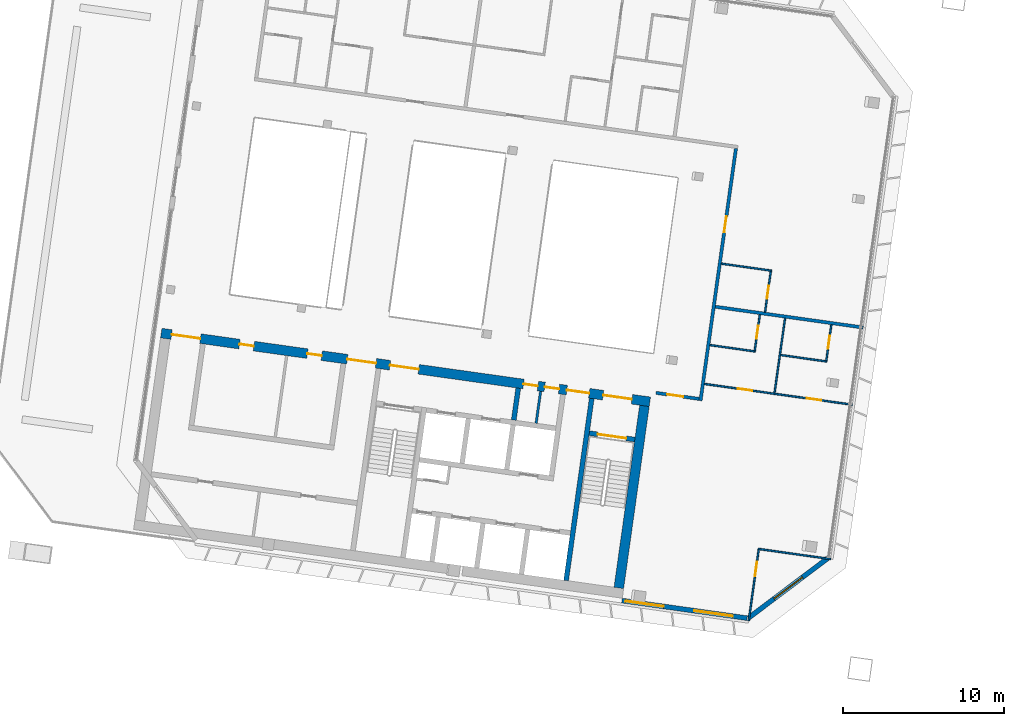
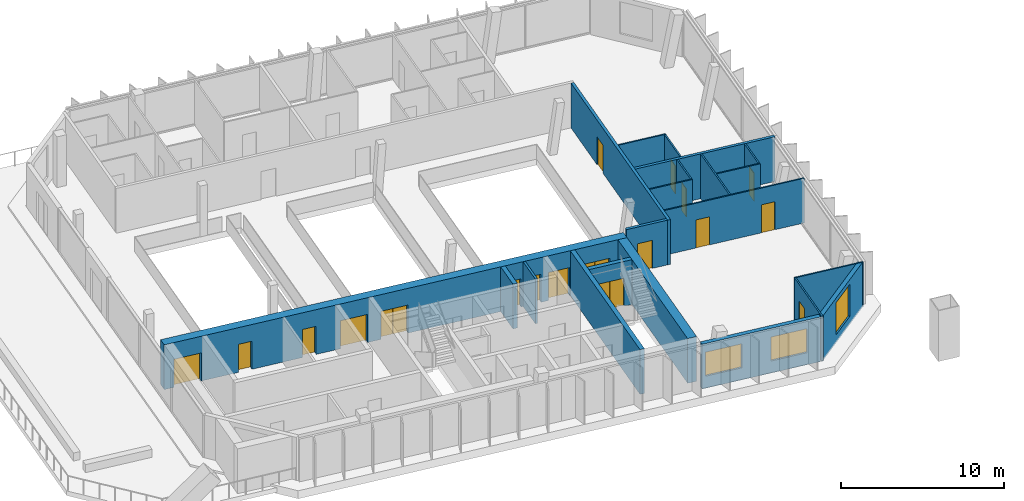
# One storey, part 11 of 19: 21 walls, 18 doors, 3 windows, 21 openings.
"""IFC4 building model written with IfcOpenShell, lengths in metres."""

from ifc_helpers import new_model, si_unit, direction, frame, frame_2d, origin, place, context, subcontext, project, spatial, rectangle, extrude, material, layer, layer_set, type_object, element, fill, save


model = new_model("IFC4")

# Units and contexts
model_context = context("Model", 3, precision=1e-05, world=origin(), true_north=direction((0.0, 1.0)))
body_context = subcontext(model_context, "Body", "Model", "MODEL_VIEW")
ifc_project = project(units=[si_unit("LENGTHUNIT", "METRE"), si_unit("AREAUNIT", "SQUARE_METRE"), si_unit("VOLUMEUNIT", "CUBIC_METRE"), si_unit("PLANEANGLEUNIT", "RADIAN"), si_unit("MASSUNIT", "GRAM", prefix="KILO")], contexts=[model_context])

# Site, building, storey
site_placement = place(None, origin())
site = spatial("IfcSite", under=ifc_project, at=site_placement, CompositionType="ELEMENT")
building_placement = place(site_placement, origin())
building = spatial("IfcBuilding", under=site, at=building_placement, Name="Mirante Cascada Hotel Towers", CompositionType="ELEMENT")
storey_placement = place(building_placement, frame((0.0, 0.0, 231.8)))
storey = spatial("IfcBuildingStorey", under=building, at=storey_placement, Name="L55", CompositionType="ELEMENT", Elevation=231.8)

# Wall, opening, door
ifc_material_1 = material(Name="Fire-rated plasterboard on metal studs")
ifc_layer_1 = layer(ifc_material_1, 0.2)
ifc_layer_set_1 = layer_set([ifc_layer_1], Name="Compartment wall 200 EI 120")
wall_type_1 = type_object("IfcWallType", Name="Compartment wall 200 EI 120", PredefinedType="PARTITIONING", material=ifc_layer_set_1)
wall_1_placement = place(storey_placement, frame((-32.5897, -7.493, 0.0), z_axis=(0.0, 0.0, 1.0), x_axis=(-0.9902713, 0.1391498, 0.0)))
wall_1 = element("IfcWall", 1, at=wall_1_placement, inside=storey, type_object=wall_type_1, Name="Wall 1-L55-02", PredefinedType="PARTITIONING", context=body_context, shape_type="SweptSolid", body=[
    extrude(rectangle(XDim=2.7, YDim=0.2, at=frame_2d((1.35, 0.0))), origin(), (0.0, 0.0, 1.0), 3.35),
])
opening_1_placement = place(wall_1_placement, frame((1.0, 0.0, 0.0)))
opening_1 = element("IfcOpeningElement", 2, at=opening_1_placement, cuts=wall_1, Name="Opening D1-L55-01", PredefinedType="OPENING", context=body_context, shape_type="SweptSolid", body=[
    extrude(rectangle(XDim=1.0, YDim=2.1, at=frame_2d((0.5, 1.05))), frame((0.0, 0.1, 0.0), z_axis=(0.0, -1.0, 0.0), x_axis=(1.0, 0.0, 0.0)), (0.0, 0.0, 1.0), 0.2),
])
ifc_material_2 = material(Name="Fire-rated timber door leaf", Category="wood")
door_type_1 = type_object("IfcDoorType", Name="Entrance door DG1 1000x2100 EI 60", OperationType="SINGLE_SWING_LEFT", PredefinedType="DOOR", material=ifc_material_2)
door_1_placement = place(opening_1_placement, origin())
door_1 = element("IfcDoor", 3, at=door_1_placement, inside=storey, type_object=door_type_1, Name="Door D1-L55-01", OperationType="SINGLE_SWING_LEFT", OverallHeight=2.1, OverallWidth=1.0, PredefinedType="DOOR", context=body_context, shape_type="SweptSolid", body=[
    extrude(rectangle(XDim=1.0, YDim=2.1, at=frame_2d((0.5, 1.05))), frame((0.0, 0.025, 0.0), z_axis=(0.0, -1.0, 0.0), x_axis=(1.0, 0.0, 0.0)), (0.0, 0.0, 1.0), 0.05),
])
fill(opening_1, door_1)

# Wall
wall_2_placement = place(storey_placement, frame((-22.4148, -3.066, 0.0), z_axis=(0.0, 0.0, 1.0), x_axis=(-0.9902681, 0.1391728, 0.0)))
element("IfcWall", 4, at=wall_2_placement, inside=storey, type_object=wall_type_1, Name="Wall 1-L55-06", PredefinedType="PARTITIONING", context=body_context, shape_type="SweptSolid", body=[
    extrude(rectangle(XDim=9.2597, YDim=0.2, at=frame_2d((4.6298, 0.0))), origin(), (0.0, 0.0, 1.0), 3.35),
])

# Wall, opening, door
wall_3_placement = place(storey_placement, frame((-30.3056, 8.0402, 0.0), z_axis=(0.0, 0.0, 1.0), x_axis=(-0.1391774, -0.9902675, 0.0)))
wall_3 = element("IfcWall", 5, at=wall_3_placement, inside=storey, type_object=wall_type_1, Name="Wall 1-L55-23", PredefinedType="PARTITIONING", context=body_context, shape_type="SweptSolid", body=[
    extrude(rectangle(XDim=15.8, YDim=0.2, at=frame_2d((7.9, 0.0))), origin(), (0.0, 0.0, 1.0), 3.35),
])
opening_2_placement = place(wall_3_placement, frame((4.25, 0.0, 0.0)))
opening_2 = element("IfcOpeningElement", 6, at=opening_2_placement, cuts=wall_3, Name="Opening D1-L55-18", PredefinedType="OPENING", context=body_context, shape_type="SweptSolid", body=[
    extrude(rectangle(XDim=1.0, YDim=2.1, at=frame_2d((0.5, 1.05))), frame((0.0, 0.1, 0.0), z_axis=(0.0, -1.0, 0.0), x_axis=(1.0, 0.0, 0.0)), (0.0, 0.0, 1.0), 0.2),
])
door_2_placement = place(opening_2_placement, origin())
door_2 = element("IfcDoor", 7, at=door_2_placement, inside=storey, type_object=door_type_1, Name="Door D1-L55-18", OperationType="SINGLE_SWING_LEFT", OverallHeight=2.1, OverallWidth=1.0, PredefinedType="DOOR", context=body_context, shape_type="SweptSolid", body=[
    extrude(rectangle(XDim=1.0, YDim=2.1, at=frame_2d((0.5, 1.05))), frame((0.0, 0.025, 0.0), z_axis=(0.0, -1.0, 0.0), x_axis=(1.0, 0.0, 0.0)), (0.0, 0.0, 1.0), 0.05),
])
fill(opening_2, door_2)

# Walls
ifc_material_3 = material(Name="Masonry block", Category="masonry")
ifc_layer_2 = layer(ifc_material_3, 0.15)
ifc_layer_set_2 = layer_set([ifc_layer_2], Name="Core room partition 150 block EI 30")
wall_type_2 = type_object("IfcWallType", Name="Core room partition 150 block EI 30", PredefinedType="PARTITIONING", material=ifc_layer_set_2)
wall_4_placement = place(storey_placement, frame((-42.6979, -9.0009, 0.0), z_axis=(0.0, 0.0, 1.0), x_axis=(0.1391529, 0.9902709, 0.0)))
element("IfcWall", 8, at=wall_4_placement, inside=storey, type_object=wall_type_2, Name="Core wall partition T1 L55 4", PredefinedType="PARTITIONING", context=body_context, shape_type="SweptSolid", body=[
    extrude(rectangle(XDim=2.0, YDim=0.15, at=frame_2d((1.0, 0.0))), origin(), (0.0, 0.0, 1.0), 3.35),
])
ifc_material_4 = material(Name="Masonry block", Category="masonry")
ifc_layer_3 = layer(ifc_material_4, 0.3)
ifc_layer_set_3 = layer_set([ifc_layer_3], Name="Core wall 300 block EI 120")
wall_type_3 = type_object("IfcWallType", Name="Core wall 300 block EI 120", PredefinedType="PARTITIONING", material=ifc_layer_set_3)
wall_5_placement = place(storey_placement, frame((-44.0843, -8.8061, 0.0), z_axis=(0.0, 0.0, 1.0), x_axis=(0.1391951, 0.990265, 0.0)))
element("IfcWall", 9, at=wall_5_placement, inside=storey, type_object=wall_type_3, Name="Core wall partition T1 L55 1", PredefinedType="PARTITIONING", context=body_context, shape_type="SweptSolid", body=[
    extrude(rectangle(XDim=2.0001, YDim=0.3, at=frame_2d((1.0001, 0.0))), origin(), (0.0, 0.0, 1.0), 3.35),
])
ifc_material_5 = material(Name="Plasterboard on metal studs")
ifc_layer_4 = layer(ifc_material_5, 0.1)
ifc_layer_set_4 = layer_set([ifc_layer_4], Name="Partition 100")
wall_type_4 = type_object("IfcWallType", Name="Partition 100", PredefinedType="PARTITIONING", material=ifc_layer_set_4)
wall_6_placement = place(storey_placement, frame((-28.9386, -16.7917, 0.0), z_axis=(0.0, 0.0, 1.0), x_axis=(0.9902691, -0.1391656, 0.0)))
element("IfcWall", 10, at=wall_6_placement, inside=storey, type_object=wall_type_4, Name="Wall 1-L55-01", PredefinedType="PARTITIONING", context=body_context, shape_type="SweptSolid", body=[
    extrude(rectangle(XDim=4.55, YDim=0.1, at=frame_2d((2.275, 0.0))), origin(), (0.0, 0.0, 1.0), 3.35),
])

# Wall, openings, doors
wall_7_placement = place(storey_placement, frame((-32.2571, -6.5636, 0.0), z_axis=(0.0, 0.0, 1.0), x_axis=(0.9902681, -0.1391728, 0.0)))
wall_7 = element("IfcWall", 11, at=wall_7_placement, inside=storey, type_object=wall_type_4, Name="Wall 1-L55-03", PredefinedType="PARTITIONING", context=body_context, shape_type="SweptSolid", body=[
    extrude(rectangle(XDim=9.2597, YDim=0.1, at=frame_2d((4.6298, 0.0))), origin(), (0.0, 0.0, 1.0), 3.35),
])
opening_3_placement = place(wall_7_placement, frame((6.4097, 0.0, 0.0)))
opening_3 = element("IfcOpeningElement", 12, at=opening_3_placement, cuts=wall_7, Name="Opening D1-L55-02", PredefinedType="OPENING", context=body_context, shape_type="SweptSolid", body=[
    extrude(rectangle(XDim=0.9, YDim=2.1, at=frame_2d((0.45, 1.05))), frame((0.0, 0.05, 0.0), z_axis=(0.0, -1.0, 0.0), x_axis=(1.0, 0.0, 0.0)), (0.0, 0.0, 1.0), 0.1),
])
opening_4_placement = place(wall_7_placement, frame((2.0899, 0.0, 0.0)))
opening_4 = element("IfcOpeningElement", 13, at=opening_4_placement, cuts=wall_7, Name="Opening D1-L55-03", PredefinedType="OPENING", context=body_context, shape_type="SweptSolid", body=[
    extrude(rectangle(XDim=0.9, YDim=2.1, at=frame_2d((0.45, 1.05))), frame((0.0, 0.05, 0.0), z_axis=(0.0, -1.0, 0.0), x_axis=(1.0, 0.0, 0.0)), (0.0, 0.0, 1.0), 0.1),
])
ifc_material_6 = material(Name="Timber door leaf", Category="wood")
door_type_2 = type_object("IfcDoorType", Name="Room door DG3 900x2100", OperationType="SINGLE_SWING_LEFT", PredefinedType="DOOR", material=ifc_material_6)
door_3_placement = place(opening_3_placement, frame((0.9, 0.0, 0.0), z_axis=(0.0, 0.0, 1.0), x_axis=(-1.0, 0.0, 0.0)))
door_3 = element("IfcDoor", 14, at=door_3_placement, inside=storey, type_object=door_type_2, Name="Door D1-L55-02", OperationType="SINGLE_SWING_RIGHT", OverallHeight=2.1, OverallWidth=0.9, PredefinedType="DOOR", context=body_context, shape_type="SweptSolid", body=[
    extrude(rectangle(XDim=0.9, YDim=2.1, at=frame_2d((0.45, 1.05))), frame((0.0, 0.025, 0.0), z_axis=(0.0, -1.0, 0.0), x_axis=(1.0, 0.0, 0.0)), (0.0, 0.0, 1.0), 0.05),
])
fill(opening_3, door_3)
door_4_placement = place(opening_4_placement, frame((0.9, 0.0, 0.0), z_axis=(0.0, 0.0, 1.0), x_axis=(-1.0, 0.0, 0.0)))
door_4 = element("IfcDoor", 15, at=door_4_placement, inside=storey, type_object=door_type_2, Name="Door D1-L55-03", OperationType="SINGLE_SWING_RIGHT", OverallHeight=2.1, OverallWidth=0.9, PredefinedType="DOOR", context=body_context, shape_type="SweptSolid", body=[
    extrude(rectangle(XDim=0.9, YDim=2.1, at=frame_2d((0.45, 1.05))), frame((0.0, 0.025, 0.0), z_axis=(0.0, -1.0, 0.0), x_axis=(1.0, 0.0, 0.0)), (0.0, 0.0, 1.0), 0.05),
])
fill(opening_4, door_4)

# Walls
wall_8_placement = place(storey_placement, frame((-24.66, -5.1741, 0.0), z_axis=(0.0, 0.0, 1.0), x_axis=(-0.9902683, 0.1391714, 0.0)))
element("IfcWall", 16, at=wall_8_placement, inside=storey, type_object=wall_type_4, Name="Wall 1-L55-04", PredefinedType="PARTITIONING", context=body_context, shape_type="SweptSolid", body=[
    extrude(rectangle(XDim=2.9, YDim=0.1, at=frame_2d((1.45, 0.0))), origin(), (0.0, 0.0, 1.0), 3.35),
])
wall_9_placement = place(storey_placement, frame((-31.9184, -4.154, 0.0), z_axis=(0.0, 0.0, 1.0), x_axis=(0.9902697, -0.1391613, 0.0)))
element("IfcWall", 17, at=wall_9_placement, inside=storey, type_object=wall_type_4, Name="Wall 1-L55-05", PredefinedType="PARTITIONING", context=body_context, shape_type="SweptSolid", body=[
    extrude(rectangle(XDim=2.8499, YDim=0.1, at=frame_2d((1.425, 0.0))), origin(), (0.0, 0.0, 1.0), 3.35),
])
wall_10_placement = place(storey_placement, frame((-31.2087, 0.8964, 0.0), z_axis=(0.0, 0.0, 1.0), x_axis=(0.9902682, -0.1391721, 0.0)))
element("IfcWall", 18, at=wall_10_placement, inside=storey, type_object=wall_type_4, Name="Wall 1-L55-07", PredefinedType="PARTITIONING", context=body_context, shape_type="SweptSolid", body=[
    extrude(rectangle(XDim=3.1501, YDim=0.1, at=frame_2d((1.575, 0.0))), origin(), (0.0, 0.0, 1.0), 3.35),
])

# Wall, opening, door
wall_11_placement = place(storey_placement, frame((-24.7025, -5.1176, 0.0), z_axis=(0.0, 0.0, 1.0), x_axis=(0.1391561, 0.9902705, 0.0)))
wall_11 = element("IfcWall", 19, at=wall_11_placement, inside=storey, type_object=wall_type_4, Name="Wall 1-L55-18", PredefinedType="PARTITIONING", context=body_context, shape_type="SweptSolid", body=[
    extrude(rectangle(XDim=2.25, YDim=0.1, at=frame_2d((1.125, 0.0))), origin(), (0.0, 0.0, 1.0), 3.35),
])
opening_5_placement = place(wall_11_placement, frame((0.75, 0.0, 0.0)))
opening_5 = element("IfcOpeningElement", 20, at=opening_5_placement, cuts=wall_11, Name="Opening D1-L55-14", PredefinedType="OPENING", context=body_context, shape_type="SweptSolid", body=[
    extrude(rectangle(XDim=0.8, YDim=2.1, at=frame_2d((0.4, 1.05))), frame((0.0, 0.05, 0.0), z_axis=(0.0, -1.0, 0.0), x_axis=(1.0, 0.0, 0.0)), (0.0, 0.0, 1.0), 0.1),
])
ifc_material_7 = material(Name="Timber door leaf", Category="wood")
door_type_3 = type_object("IfcDoorType", Name="Bathroom door DG4 800x2100", OperationType="SINGLE_SWING_LEFT", PredefinedType="DOOR", material=ifc_material_7)
door_5_placement = place(opening_5_placement, origin())
door_5 = element("IfcDoor", 21, at=door_5_placement, inside=storey, type_object=door_type_3, Name="Door D1-L55-14", OperationType="SINGLE_SWING_LEFT", OverallHeight=2.1, OverallWidth=0.8, PredefinedType="DOOR", context=body_context, shape_type="SweptSolid", body=[
    extrude(rectangle(XDim=0.8, YDim=2.1, at=frame_2d((0.4, 1.05))), frame((0.0, 0.025, 0.0), z_axis=(0.0, -1.0, 0.0), x_axis=(1.0, 0.0, 0.0)), (0.0, 0.0, 1.0), 0.05),
])
fill(opening_5, door_5)

wall_12_placement = place(storey_placement, frame((-28.896, -16.8481, 0.0), z_axis=(0.0, 0.0, 1.0), x_axis=(-0.1391684, -0.9902687, 0.0)))
wall_12 = element("IfcWall", 22, at=wall_12_placement, inside=storey, type_object=wall_type_4, Name="Wall 1-L55-19", PredefinedType="PARTITIONING", context=body_context, shape_type="SweptSolid", body=[
    extrude(rectangle(XDim=4.45, YDim=0.1, at=frame_2d((2.225, 0.0))), origin(), (0.0, 0.0, 1.0), 3.35),
])
opening_6_placement = place(wall_12_placement, frame((0.75, 0.0, 0.0)))
opening_6 = element("IfcOpeningElement", 23, at=opening_6_placement, cuts=wall_12, Name="Opening D1-L55-15", PredefinedType="OPENING", context=body_context, shape_type="SweptSolid", body=[
    extrude(rectangle(XDim=0.9, YDim=2.1, at=frame_2d((0.45, 1.05))), frame((0.0, 0.05, 0.0), z_axis=(0.0, -1.0, 0.0), x_axis=(1.0, 0.0, 0.0)), (0.0, 0.0, 1.0), 0.1),
])
door_6_placement = place(opening_6_placement, frame((0.9, 0.0, 0.0), z_axis=(0.0, 0.0, 1.0), x_axis=(-1.0, 0.0, 0.0)))
door_6 = element("IfcDoor", 24, at=door_6_placement, inside=storey, type_object=door_type_2, Name="Door D1-L55-15", OperationType="SINGLE_SWING_RIGHT", OverallHeight=2.1, OverallWidth=0.9, PredefinedType="DOOR", context=body_context, shape_type="SweptSolid", body=[
    extrude(rectangle(XDim=0.9, YDim=2.1, at=frame_2d((0.45, 1.05))), frame((0.0, 0.025, 0.0), z_axis=(0.0, -1.0, 0.0), x_axis=(1.0, 0.0, 0.0)), (0.0, 0.0, 1.0), 0.05),
])
fill(opening_6, door_6)

# Wall
wall_13_placement = place(storey_placement, frame((-27.913, -7.1236, 0.0), z_axis=(0.0, 0.0, 1.0), x_axis=(0.139176, 0.9902677, 0.0)))
element("IfcWall", 25, at=wall_13_placement, inside=storey, type_object=wall_type_4, Name="Wall 1-L55-20", PredefinedType="PARTITIONING", context=body_context, shape_type="SweptSolid", body=[
    extrude(rectangle(XDim=4.6833, YDim=0.1, at=frame_2d((2.3416, 0.0))), origin(), (0.0, 0.0, 1.0), 3.35),
])

# Wall, opening, door
wall_14_placement = place(storey_placement, frame((-28.1458, 0.4155, 0.0), z_axis=(0.0, 0.0, 1.0), x_axis=(-0.1391755, -0.9902677, 0.0)))
wall_14 = element("IfcWall", 26, at=wall_14_placement, inside=storey, type_object=wall_type_4, Name="Wall 1-L55-21", PredefinedType="PARTITIONING", context=body_context, shape_type="SweptSolid", body=[
    extrude(rectangle(XDim=2.55, YDim=0.1, at=frame_2d((1.275, 0.0))), origin(), (0.0, 0.0, 1.0), 3.35),
])
opening_7_placement = place(wall_14_placement, frame((0.9, 0.0, 0.0)))
opening_7 = element("IfcOpeningElement", 27, at=opening_7_placement, cuts=wall_14, Name="Opening D1-L55-16", PredefinedType="OPENING", context=body_context, shape_type="SweptSolid", body=[
    extrude(rectangle(XDim=0.8, YDim=2.1, at=frame_2d((0.4, 1.05))), frame((0.0, 0.05, 0.0), z_axis=(0.0, -1.0, 0.0), x_axis=(1.0, 0.0, 0.0)), (0.0, 0.0, 1.0), 0.1),
])
door_7_placement = place(opening_7_placement, origin())
door_7 = element("IfcDoor", 28, at=door_7_placement, inside=storey, type_object=door_type_3, Name="Door D1-L55-16", OperationType="SINGLE_SWING_LEFT", OverallHeight=2.1, OverallWidth=0.8, PredefinedType="DOOR", context=body_context, shape_type="SweptSolid", body=[
    extrude(rectangle(XDim=0.8, YDim=2.1, at=frame_2d((0.4, 1.05))), frame((0.0, 0.025, 0.0), z_axis=(0.0, -1.0, 0.0), x_axis=(1.0, 0.0, 0.0)), (0.0, 0.0, 1.0), 0.05),
])
fill(opening_7, door_7)

wall_15_placement = place(storey_placement, frame((-29.1387, -4.4941, 0.0), z_axis=(0.0, 0.0, 1.0), x_axis=(0.1391561, 0.9902705, 0.0)))
wall_15 = element("IfcWall", 29, at=wall_15_placement, inside=storey, type_object=wall_type_4, Name="Wall 1-L55-22", PredefinedType="PARTITIONING", context=body_context, shape_type="SweptSolid", body=[
    extrude(rectangle(XDim=2.25, YDim=0.1, at=frame_2d((1.125, 0.0))), origin(), (0.0, 0.0, 1.0), 3.35),
])
opening_8_placement = place(wall_15_placement, frame((0.75, 0.0, 0.0)))
opening_8 = element("IfcOpeningElement", 30, at=opening_8_placement, cuts=wall_15, Name="Opening D1-L55-17", PredefinedType="OPENING", context=body_context, shape_type="SweptSolid", body=[
    extrude(rectangle(XDim=0.8, YDim=2.1, at=frame_2d((0.4, 1.05))), frame((0.0, 0.05, 0.0), z_axis=(0.0, -1.0, 0.0), x_axis=(1.0, 0.0, 0.0)), (0.0, 0.0, 1.0), 0.1),
])
door_8_placement = place(opening_8_placement, origin())
door_8 = element("IfcDoor", 31, at=door_8_placement, inside=storey, type_object=door_type_3, Name="Door D1-L55-17", OperationType="SINGLE_SWING_LEFT", OverallHeight=2.1, OverallWidth=0.8, PredefinedType="DOOR", context=body_context, shape_type="SweptSolid", body=[
    extrude(rectangle(XDim=0.8, YDim=2.1, at=frame_2d((0.4, 1.05))), frame((0.0, 0.025, 0.0), z_axis=(0.0, -1.0, 0.0), x_axis=(1.0, 0.0, 0.0)), (0.0, 0.0, 1.0), 0.05),
])
fill(opening_8, door_8)

# Wall, openings, windows
ifc_material_8 = material(Name="Precast concrete C40/50", Category="concrete")
ifc_layer_5 = layer(ifc_material_8, 0.3)
ifc_layer_set_5 = layer_set([ifc_layer_5], Name="Precast concrete C40/50 cladding wall 300")
wall_type_5 = type_object("IfcWallType", Name="Precast concrete C40/50 cladding wall 300", PredefinedType="STANDARD", material=ifc_layer_set_5)
wall_16_placement = place(storey_placement, frame((-29.6174, -21.089, 0.0), z_axis=(0.0, 0.0, 1.0), x_axis=(-0.990268, 0.1391733, 0.0)))
wall_16 = element("IfcWall", 32, at=wall_16_placement, inside=storey, type_object=wall_type_5, Name="Rear cladding wall T1 L55 1", PredefinedType="STANDARD", context=body_context, shape_type="SweptSolid", body=[
    extrude(rectangle(XDim=7.8356, YDim=0.3, at=frame_2d((3.9178, 0.0))), origin(), (0.0, 0.0, 1.0), 3.35),
])
opening_9_placement = place(wall_16_placement, frame((0.8965, 0.0, 0.9)))
opening_9 = element("IfcOpeningElement", 33, at=opening_9_placement, cuts=wall_16, Name="Opening W1-55-01", PredefinedType="OPENING", context=body_context, shape_type="SweptSolid", body=[
    extrude(rectangle(XDim=2.4, YDim=1.8, at=frame_2d((1.2, 0.9))), frame((0.0, 0.15, 0.0), z_axis=(0.0, -1.0, 0.0), x_axis=(1.0, 0.0, 0.0)), (0.0, 0.0, 1.0), 0.3),
])
opening_10_placement = place(wall_16_placement, frame((5.2134, 0.0, 0.9)))
opening_10 = element("IfcOpeningElement", 34, at=opening_10_placement, cuts=wall_16, Name="Opening W1-55-02", PredefinedType="OPENING", context=body_context, shape_type="SweptSolid", body=[
    extrude(rectangle(XDim=2.4, YDim=1.8, at=frame_2d((1.2, 0.9))), frame((0.0, 0.15, 0.0), z_axis=(0.0, -1.0, 0.0), x_axis=(1.0, 0.0, 0.0)), (0.0, 0.0, 1.0), 0.3),
])
ifc_material_9 = material(Name="Aluminium frame with clear double glazing", Category="aluminium")
window_type_1 = type_object("IfcWindowType", Name="Punched window 2400x1800", PartitioningType="DOUBLE_PANEL_VERTICAL", PredefinedType="WINDOW", material=ifc_material_9)
window_1_placement = place(opening_9_placement, origin())
window_1 = element("IfcWindow", 35, at=window_1_placement, inside=storey, type_object=window_type_1, Name="Window W1-55-01", OverallHeight=1.8, OverallWidth=2.4, PartitioningType="SINGLE_PANEL", PredefinedType="WINDOW", context=body_context, shape_type="SweptSolid", body=[
    extrude(rectangle(XDim=2.4, YDim=1.8, at=frame_2d((1.2, 0.9))), frame((0.0, 0.03, 0.0), z_axis=(0.0, -1.0, 0.0), x_axis=(1.0, 0.0, 0.0)), (0.0, 0.0, 1.0), 0.06),
])
fill(opening_9, window_1)
window_2_placement = place(opening_10_placement, origin())
window_2 = element("IfcWindow", 36, at=window_2_placement, inside=storey, type_object=window_type_1, Name="Window W1-55-02", OverallHeight=1.8, OverallWidth=2.4, PartitioningType="SINGLE_PANEL", PredefinedType="WINDOW", context=body_context, shape_type="SweptSolid", body=[
    extrude(rectangle(XDim=2.4, YDim=1.8, at=frame_2d((1.2, 0.9))), frame((0.0, 0.03, 0.0), z_axis=(0.0, -1.0, 0.0), x_axis=(1.0, 0.0, 0.0)), (0.0, 0.0, 1.0), 0.06),
])
fill(opening_10, window_2)

# Wall, opening, window
wall_17_placement = place(storey_placement, frame((-24.6223, -17.3798, 0.0), z_axis=(0.0, 0.0, 1.0), x_axis=(-0.7986362, -0.6018141, 0.0)))
wall_17 = element("IfcWall", 37, at=wall_17_placement, inside=storey, type_object=wall_type_5, Name="Corner cladding wall T1 L55 inner rear", PredefinedType="STANDARD", context=body_context, shape_type="SweptSolid", body=[
    extrude(rectangle(XDim=6.1157, YDim=0.3, at=frame_2d((3.0578, 0.0))), origin(), (0.0, 0.0, 1.0), 3.35),
])
opening_11_placement = place(wall_17_placement, frame((1.9578, 0.0, 0.6)))
opening_11 = element("IfcOpeningElement", 38, at=opening_11_placement, cuts=wall_17, Name="Opening W1-55-06", PredefinedType="OPENING", context=body_context, shape_type="SweptSolid", body=[
    extrude(rectangle(XDim=2.2, YDim=2.4, at=frame_2d((1.1, 1.2))), frame((0.0, 0.15, 0.0), z_axis=(0.0, -1.0, 0.0), x_axis=(1.0, 0.0, 0.0)), (0.0, 0.0, 1.0), 0.3),
])
ifc_material_10 = material(Name="Aluminium frame with clear double glazing", Category="aluminium")
window_type_2 = type_object("IfcWindowType", Name="Corner suite window 2200x2400", PartitioningType="DOUBLE_PANEL_VERTICAL", PredefinedType="WINDOW", material=ifc_material_10)
window_3_placement = place(opening_11_placement, origin())
window_3 = element("IfcWindow", 39, at=window_3_placement, inside=storey, type_object=window_type_2, Name="Window W1-55-06", OverallHeight=2.4, OverallWidth=2.2, PartitioningType="SINGLE_PANEL", PredefinedType="WINDOW", context=body_context, shape_type="SweptSolid", body=[
    extrude(rectangle(XDim=2.2, YDim=2.4, at=frame_2d((1.1, 1.2))), frame((0.0, 0.03, 0.0), z_axis=(0.0, -1.0, 0.0), x_axis=(1.0, 0.0, 0.0)), (0.0, 0.0, 1.0), 0.06),
])
fill(opening_11, window_3)

# Wall
ifc_material_11 = material(Name="Concrete C50/60", Category="concrete")
ifc_layer_6 = layer(ifc_material_11, 0.3)
ifc_layer_set_6 = layer_set([ifc_layer_6], Name="RC core wall 300 C50/60")
wall_type_6 = type_object("IfcWallType", Name="RC core wall 300 C50/60", PredefinedType="SHEAR", material=ifc_layer_set_6)
wall_18_placement = place(storey_placement, frame((-40.8373, -18.7548, 0.0), z_axis=(0.0, 0.0, 1.0), x_axis=(0.1391749, 0.9902678, 0.0)))
element("IfcWall", 40, at=wall_18_placement, inside=storey, type_object=wall_type_6, Name="Core wall T1:L55:5", PredefinedType="SHEAR", context=body_context, shape_type="SweptSolid", body=[
    extrude(rectangle(XDim=11.4, YDim=0.3, at=frame_2d((5.7, 0.0))), origin(), (0.0, 0.0, 1.0), 3.35),
])

# Wall, opening, door
wall_19_placement = place(storey_placement, frame((-36.5791, -10.0123, 0.0), z_axis=(0.0, 0.0, 1.0), x_axis=(-0.9902704, 0.1391564, 0.0)))
wall_19 = element("IfcWall", 41, at=wall_19_placement, inside=storey, type_object=wall_type_6, Name="Core wall T1:L55:8", PredefinedType="SHEAR", context=body_context, shape_type="SweptSolid", body=[
    extrude(rectangle(XDim=2.85, YDim=0.3, at=frame_2d((1.425, 0.0))), origin(), (0.0, 0.0, 1.0), 3.35),
])
opening_12_placement = place(wall_19_placement, frame((0.525, 0.0, 0.0)))
opening_12 = element("IfcOpeningElement", 42, at=opening_12_placement, cuts=wall_19, Name="Opening D1-55-C07", PredefinedType="OPENING", context=body_context, shape_type="SweptSolid", body=[
    extrude(rectangle(XDim=1.8, YDim=2.1, at=frame_2d((0.9, 1.05))), frame((0.0, 0.15, 0.0), z_axis=(0.0, -1.0, 0.0), x_axis=(1.0, 0.0, 0.0)), (0.0, 0.0, 1.0), 0.3),
])
ifc_material_12 = material(Name="Hollow metal fire door leaf")
door_type_4 = type_object("IfcDoorType", Name="Double fire door 1800x2100 FD60", OperationType="DOUBLE_DOOR_SINGLE_SWING", PredefinedType="DOOR", material=ifc_material_12)
door_9_placement = place(opening_12_placement, origin())
door_9 = element("IfcDoor", 43, at=door_9_placement, inside=storey, type_object=door_type_4, Name="Stair door T1 L55 7", OperationType="DOUBLE_DOOR_SINGLE_SWING", OverallHeight=2.1, OverallWidth=1.8, PredefinedType="DOOR", context=body_context, shape_type="SweptSolid", body=[
    extrude(rectangle(XDim=0.895, YDim=2.1, at=frame_2d((0.4475, 1.05))), frame((0.0, 0.025, 0.0), z_axis=(0.0, -1.0, 0.0), x_axis=(1.0, 0.0, 0.0)), (0.0, 0.0, 1.0), 0.05),
    extrude(rectangle(XDim=0.895, YDim=2.1, at=frame_2d((1.3525, 1.05))), frame((0.0, 0.025, 0.0), z_axis=(0.0, -1.0, 0.0), x_axis=(1.0, 0.0, 0.0)), (0.0, 0.0, 1.0), 0.05),
])
fill(opening_12, door_9)

# Wall, openings, doors
ifc_material_13 = material(Name="Concrete C50/60", Category="concrete")
ifc_layer_7 = layer(ifc_material_13, 0.6)
ifc_layer_set_7 = layer_set([ifc_layer_7], Name="RC core wall 600 C50/60")
wall_type_7 = type_object("IfcWallType", Name="RC core wall 600 C50/60", PredefinedType="SHEAR", material=ifc_layer_set_7)
wall_20_placement = place(storey_placement, frame((-35.644, -7.6697, 0.0), z_axis=(0.0, 0.0, 1.0), x_axis=(-0.9902681, 0.1391732, 0.0)))
wall_20 = element("IfcWall", 44, at=wall_20_placement, inside=storey, type_object=wall_type_7, Name="Core wall T1:L55:2", PredefinedType="SHEAR", context=body_context, shape_type="SweptSolid", body=[
    extrude(rectangle(XDim=30.6, YDim=0.6, at=frame_2d((15.3, 0.0))), origin(), (0.0, 0.0, 1.0), 3.35),
])
opening_13_placement = place(wall_20_placement, frame((1.125, 0.0, 0.0)))
opening_13 = element("IfcOpeningElement", 45, at=opening_13_placement, cuts=wall_20, Name="Opening D1-55-C08", PredefinedType="OPENING", context=body_context, shape_type="SweptSolid", body=[
    extrude(rectangle(XDim=1.8, YDim=2.1, at=frame_2d((0.9, 1.05))), frame((0.0, 0.3, 0.0), z_axis=(0.0, -1.0, 0.0), x_axis=(1.0, 0.0, 0.0)), (0.0, 0.0, 1.0), 0.6),
])
opening_14_placement = place(wall_20_placement, frame((14.475, 0.0, 0.0)))
opening_14 = element("IfcOpeningElement", 46, at=opening_14_placement, cuts=wall_20, Name="Opening D1-55-C10", PredefinedType="OPENING", context=body_context, shape_type="SweptSolid", body=[
    extrude(rectangle(XDim=1.8, YDim=2.1, at=frame_2d((0.9, 1.05))), frame((0.0, 0.3, 0.0), z_axis=(0.0, -1.0, 0.0), x_axis=(1.0, 0.0, 0.0)), (0.0, 0.0, 1.0), 0.6),
])
opening_15_placement = place(wall_20_placement, frame((3.8, 0.0, 0.0)))
opening_15 = element("IfcOpeningElement", 47, at=opening_15_placement, cuts=wall_20, Name="Opening D1-55-C11", PredefinedType="OPENING", context=body_context, shape_type="SweptSolid", body=[
    extrude(rectangle(XDim=1.4, YDim=2.1, at=frame_2d((0.7, 1.05))), frame((0.0, 0.3, 0.0), z_axis=(0.0, -1.0, 0.0), x_axis=(1.0, 0.0, 0.0)), (0.0, 0.0, 1.0), 0.6),
])
opening_16_placement = place(wall_20_placement, frame((17.15, 0.0, 0.0)))
opening_16 = element("IfcOpeningElement", 48, at=opening_16_placement, cuts=wall_20, Name="Opening D1-55-C12", PredefinedType="OPENING", context=body_context, shape_type="SweptSolid", body=[
    extrude(rectangle(XDim=1.8, YDim=2.1, at=frame_2d((0.9, 1.05))), frame((0.0, 0.3, 0.0), z_axis=(0.0, -1.0, 0.0), x_axis=(1.0, 0.0, 0.0)), (0.0, 0.0, 1.0), 0.6),
])
opening_17_placement = place(wall_20_placement, frame((28.15, 0.0, 0.0)))
opening_17 = element("IfcOpeningElement", 49, at=opening_17_placement, cuts=wall_20, Name="Opening D1-55-C13", PredefinedType="OPENING", context=body_context, shape_type="SweptSolid", body=[
    extrude(rectangle(XDim=1.8, YDim=2.1, at=frame_2d((0.9, 1.05))), frame((0.0, 0.3, 0.0), z_axis=(0.0, -1.0, 0.0), x_axis=(1.0, 0.0, 0.0)), (0.0, 0.0, 1.0), 0.6),
])
opening_18_placement = place(wall_20_placement, frame((5.6875, 0.0, 0.0)))
opening_18 = element("IfcOpeningElement", 50, at=opening_18_placement, cuts=wall_20, Name="Opening D1-55-C16", PredefinedType="OPENING", context=body_context, shape_type="SweptSolid", body=[
    extrude(rectangle(XDim=0.9, YDim=2.1, at=frame_2d((0.45, 1.05))), frame((0.0, 0.3, 0.0), z_axis=(0.0, -1.0, 0.0), x_axis=(1.0, 0.0, 0.0)), (0.0, 0.0, 1.0), 0.6),
])
opening_19_placement = place(wall_20_placement, frame((7.0125, 0.0, 0.0)))
opening_19 = element("IfcOpeningElement", 51, at=opening_19_placement, cuts=wall_20, Name="Opening D1-55-C17", PredefinedType="OPENING", context=body_context, shape_type="SweptSolid", body=[
    extrude(rectangle(XDim=0.9, YDim=2.1, at=frame_2d((0.45, 1.05))), frame((0.0, 0.3, 0.0), z_axis=(0.0, -1.0, 0.0), x_axis=(1.0, 0.0, 0.0)), (0.0, 0.0, 1.0), 0.6),
])
opening_20_placement = place(wall_20_placement, frame((20.55, 0.0, 0.0)))
opening_20 = element("IfcOpeningElement", 52, at=opening_20_placement, cuts=wall_20, Name="Opening D1-55-C20", PredefinedType="OPENING", context=body_context, shape_type="SweptSolid", body=[
    extrude(rectangle(XDim=0.9, YDim=2.1, at=frame_2d((0.45, 1.05))), frame((0.0, 0.3, 0.0), z_axis=(0.0, -1.0, 0.0), x_axis=(1.0, 0.0, 0.0)), (0.0, 0.0, 1.0), 0.6),
])
opening_21_placement = place(wall_20_placement, frame((24.8, 0.0, 0.0)))
opening_21 = element("IfcOpeningElement", 53, at=opening_21_placement, cuts=wall_20, Name="Opening D1-55-C21", PredefinedType="OPENING", context=body_context, shape_type="SweptSolid", body=[
    extrude(rectangle(XDim=0.9, YDim=2.1, at=frame_2d((0.45, 1.05))), frame((0.0, 0.3, 0.0), z_axis=(0.0, -1.0, 0.0), x_axis=(1.0, 0.0, 0.0)), (0.0, 0.0, 1.0), 0.6),
])
ifc_material_14 = material(Name="Hollow metal fire door leaf")
door_type_5 = type_object("IfcDoorType", Name="Double fire door 1400x2100 FD60", OperationType="DOUBLE_DOOR_SINGLE_SWING", PredefinedType="DOOR", material=ifc_material_14)
door_10_placement = place(opening_15_placement, frame((1.4, 0.0, 0.0), z_axis=(0.0, 0.0, 1.0), x_axis=(-1.0, 0.0, 0.0)))
door_10 = element("IfcDoor", 54, at=door_10_placement, inside=storey, type_object=door_type_5, Name="Exit door to gallery T1 L55 11", OperationType="DOUBLE_DOOR_SINGLE_SWING", OverallHeight=2.1, OverallWidth=1.4, PredefinedType="DOOR", context=body_context, shape_type="SweptSolid", body=[
    extrude(rectangle(XDim=0.695, YDim=2.1, at=frame_2d((0.3475, 1.05))), frame((0.0, 0.025, 0.0), z_axis=(0.0, -1.0, 0.0), x_axis=(1.0, 0.0, 0.0)), (0.0, 0.0, 1.0), 0.05),
    extrude(rectangle(XDim=0.695, YDim=2.1, at=frame_2d((1.0525, 1.05))), frame((0.0, 0.025, 0.0), z_axis=(0.0, -1.0, 0.0), x_axis=(1.0, 0.0, 0.0)), (0.0, 0.0, 1.0), 0.05),
])
fill(opening_15, door_10)
door_11_placement = place(opening_13_placement, origin())
door_11 = element("IfcDoor", 55, at=door_11_placement, inside=storey, type_object=door_type_4, Name="Exit door to gallery T1 L55 8", OperationType="DOUBLE_DOOR_SINGLE_SWING", OverallHeight=2.1, OverallWidth=1.8, PredefinedType="DOOR", context=body_context, shape_type="SweptSolid", body=[
    extrude(rectangle(XDim=0.895, YDim=2.1, at=frame_2d((0.4475, 1.05))), frame((0.0, 0.025, 0.0), z_axis=(0.0, -1.0, 0.0), x_axis=(1.0, 0.0, 0.0)), (0.0, 0.0, 1.0), 0.05),
    extrude(rectangle(XDim=0.895, YDim=2.1, at=frame_2d((1.3525, 1.05))), frame((0.0, 0.025, 0.0), z_axis=(0.0, -1.0, 0.0), x_axis=(1.0, 0.0, 0.0)), (0.0, 0.0, 1.0), 0.05),
])
fill(opening_13, door_11)
door_12_placement = place(opening_14_placement, origin())
door_12 = element("IfcDoor", 56, at=door_12_placement, inside=storey, type_object=door_type_4, Name="Exit door to gallery T1 L55 10", OperationType="DOUBLE_DOOR_SINGLE_SWING", OverallHeight=2.1, OverallWidth=1.8, PredefinedType="DOOR", context=body_context, shape_type="SweptSolid", body=[
    extrude(rectangle(XDim=0.895, YDim=2.1, at=frame_2d((0.4475, 1.05))), frame((0.0, 0.025, 0.0), z_axis=(0.0, -1.0, 0.0), x_axis=(1.0, 0.0, 0.0)), (0.0, 0.0, 1.0), 0.05),
    extrude(rectangle(XDim=0.895, YDim=2.1, at=frame_2d((1.3525, 1.05))), frame((0.0, 0.025, 0.0), z_axis=(0.0, -1.0, 0.0), x_axis=(1.0, 0.0, 0.0)), (0.0, 0.0, 1.0), 0.05),
])
fill(opening_14, door_12)
door_13_placement = place(opening_16_placement, frame((1.8, 0.0, 0.0), z_axis=(0.0, 0.0, 1.0), x_axis=(-1.0, 0.0, 0.0)))
door_13 = element("IfcDoor", 57, at=door_13_placement, inside=storey, type_object=door_type_4, Name="Exit door to gallery T1 L55 12", OperationType="DOUBLE_DOOR_SINGLE_SWING", OverallHeight=2.1, OverallWidth=1.8, PredefinedType="DOOR", context=body_context, shape_type="SweptSolid", body=[
    extrude(rectangle(XDim=0.895, YDim=2.1, at=frame_2d((0.4475, 1.05))), frame((0.0, 0.025, 0.0), z_axis=(0.0, -1.0, 0.0), x_axis=(1.0, 0.0, 0.0)), (0.0, 0.0, 1.0), 0.05),
    extrude(rectangle(XDim=0.895, YDim=2.1, at=frame_2d((1.3525, 1.05))), frame((0.0, 0.025, 0.0), z_axis=(0.0, -1.0, 0.0), x_axis=(1.0, 0.0, 0.0)), (0.0, 0.0, 1.0), 0.05),
])
fill(opening_16, door_13)
door_14_placement = place(opening_17_placement, frame((1.8, 0.0, 0.0), z_axis=(0.0, 0.0, 1.0), x_axis=(-1.0, 0.0, 0.0)))
door_14 = element("IfcDoor", 58, at=door_14_placement, inside=storey, type_object=door_type_4, Name="Exit door to gallery T1 L55 13", OperationType="DOUBLE_DOOR_SINGLE_SWING", OverallHeight=2.1, OverallWidth=1.8, PredefinedType="DOOR", context=body_context, shape_type="SweptSolid", body=[
    extrude(rectangle(XDim=0.895, YDim=2.1, at=frame_2d((0.4475, 1.05))), frame((0.0, 0.025, 0.0), z_axis=(0.0, -1.0, 0.0), x_axis=(1.0, 0.0, 0.0)), (0.0, 0.0, 1.0), 0.05),
    extrude(rectangle(XDim=0.895, YDim=2.1, at=frame_2d((1.3525, 1.05))), frame((0.0, 0.025, 0.0), z_axis=(0.0, -1.0, 0.0), x_axis=(1.0, 0.0, 0.0)), (0.0, 0.0, 1.0), 0.05),
])
fill(opening_17, door_14)
ifc_material_15 = material(Name="Hollow metal fire door leaf")
door_type_6 = type_object("IfcDoorType", Name="Fire door 900x2100 FD60", OperationType="NOTDEFINED", PredefinedType="DOOR", material=ifc_material_15)
door_15_placement = place(opening_18_placement, origin())
door_15 = element("IfcDoor", 59, at=door_15_placement, inside=storey, type_object=door_type_6, Name="Room door T1 L55 16", OperationType="SINGLE_SWING_RIGHT", OverallHeight=2.1, OverallWidth=0.9, PredefinedType="DOOR", context=body_context, shape_type="SweptSolid", body=[
    extrude(rectangle(XDim=0.9, YDim=2.1, at=frame_2d((0.45, 1.05))), frame((0.0, 0.025, 0.0), z_axis=(0.0, -1.0, 0.0), x_axis=(1.0, 0.0, 0.0)), (0.0, 0.0, 1.0), 0.05),
])
fill(opening_18, door_15)
door_16_placement = place(opening_19_placement, origin())
door_16 = element("IfcDoor", 60, at=door_16_placement, inside=storey, type_object=door_type_6, Name="Room door T1 L55 17", OperationType="SINGLE_SWING_RIGHT", OverallHeight=2.1, OverallWidth=0.9, PredefinedType="DOOR", context=body_context, shape_type="SweptSolid", body=[
    extrude(rectangle(XDim=0.9, YDim=2.1, at=frame_2d((0.45, 1.05))), frame((0.0, 0.025, 0.0), z_axis=(0.0, -1.0, 0.0), x_axis=(1.0, 0.0, 0.0)), (0.0, 0.0, 1.0), 0.05),
])
fill(opening_19, door_16)
door_17_placement = place(opening_20_placement, origin())
door_17 = element("IfcDoor", 61, at=door_17_placement, inside=storey, type_object=door_type_6, Name="Room door T1 L55 20", OperationType="SINGLE_SWING_LEFT", OverallHeight=2.1, OverallWidth=0.9, PredefinedType="DOOR", context=body_context, shape_type="SweptSolid", body=[
    extrude(rectangle(XDim=0.9, YDim=2.1, at=frame_2d((0.45, 1.05))), frame((0.0, 0.025, 0.0), z_axis=(0.0, -1.0, 0.0), x_axis=(1.0, 0.0, 0.0)), (0.0, 0.0, 1.0), 0.05),
])
fill(opening_20, door_17)
door_18_placement = place(opening_21_placement, origin())
door_18 = element("IfcDoor", 62, at=door_18_placement, inside=storey, type_object=door_type_6, Name="Room door T1 L55 21", OperationType="SINGLE_SWING_LEFT", OverallHeight=2.1, OverallWidth=0.9, PredefinedType="DOOR", context=body_context, shape_type="SweptSolid", body=[
    extrude(rectangle(XDim=0.9, YDim=2.1, at=frame_2d((0.45, 1.05))), frame((0.0, 0.025, 0.0), z_axis=(0.0, -1.0, 0.0), x_axis=(1.0, 0.0, 0.0)), (0.0, 0.0, 1.0), 0.05),
])
fill(opening_21, door_18)

# Wall
wall_21_placement = place(storey_placement, frame((-37.5694, -19.2141, 0.0), z_axis=(0.0, 0.0, 1.0), x_axis=(0.1391749, 0.9902678, 0.0)))
element("IfcWall", 63, at=wall_21_placement, inside=storey, type_object=wall_type_7, Name="Core wall T1:L55:3", PredefinedType="SHEAR", context=body_context, shape_type="SweptSolid", body=[
    extrude(rectangle(XDim=11.4, YDim=0.6, at=frame_2d((5.7, 0.0))), origin(), (0.0, 0.0, 1.0), 3.35),
])

save(model, "model.ifc")
